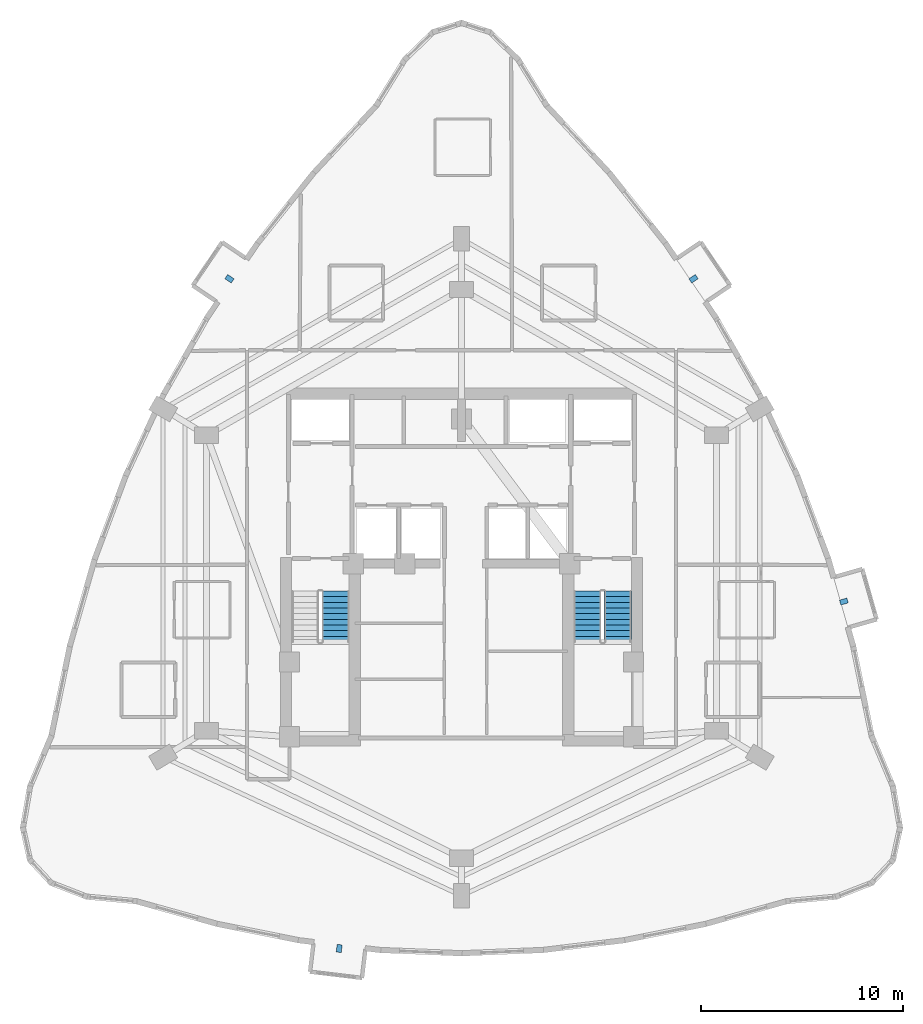
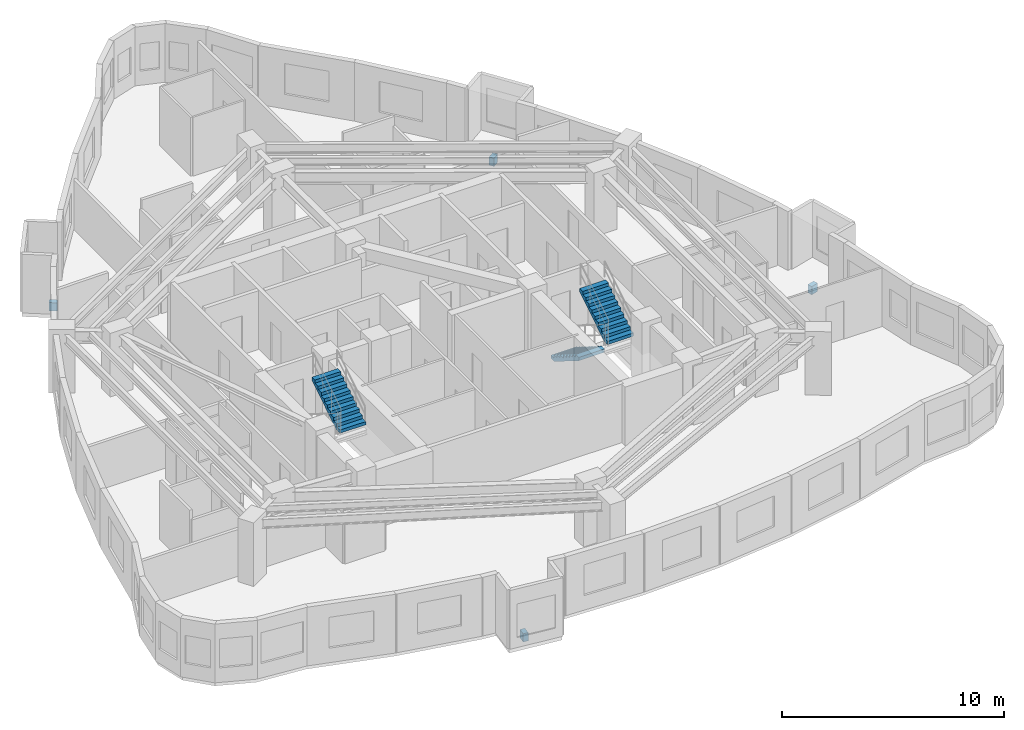
# One storey, part 8 of 9: 4 discrete accessories, 3 stair flights, 2 elements without a shape of their own.
"""IFC4 building model written with IfcOpenShell, lengths in metres."""

from ifc_helpers import new_model, si_unit, direction, frame, origin, origin_2d, place, context, subcontext, project, spatial, polyline, rectangle, outline, extrude, material, type_object, element, aggregate, save


model = new_model("IFC4")

# Units and contexts
model_context = context("Model", 3, precision=1e-05, world=origin(), true_north=direction((0.0, 1.0)))
body_context = subcontext(model_context, "Body", "Model", "MODEL_VIEW")
ifc_project = project(units=[si_unit("LENGTHUNIT", "METRE"), si_unit("AREAUNIT", "SQUARE_METRE"), si_unit("VOLUMEUNIT", "CUBIC_METRE"), si_unit("PLANEANGLEUNIT", "RADIAN"), si_unit("MASSUNIT", "GRAM", prefix="KILO")], contexts=[model_context])

# Site, building, storey
site_placement = place(None, origin())
site = spatial("IfcSite", under=ifc_project, at=site_placement, CompositionType="ELEMENT")
building_placement = place(site_placement, origin())
building = spatial("IfcBuilding", under=site, at=building_placement, Name="Miruveldt Soraemaru", CompositionType="ELEMENT")
storey_placement = place(building_placement, frame((0.0, 0.0, 138.89990234375)))
storey = spatial("IfcBuildingStorey", under=building, at=storey_placement, Name="L38", CompositionType="ELEMENT", Elevation=138.89990234375)

# Stair, stair flight
ifc_material_1 = material(Name="Concrete C40/50 (40 MPa)", Category="concrete")
stair_type = type_object("IfcStairType", Name="STAIR-DL-350", PredefinedType="HALF_TURN_STAIR", material=ifc_material_1)
stair_1_placement = place(storey_placement, origin())
stair_1 = element("IfcStair", 1, at=stair_1_placement, inside=storey, type_object=stair_type, Name="L38 Protected Exit Stair ST-1", PredefinedType="HALF_TURN_STAIR")
stair_flight_type = type_object("IfcStairFlightType", Name="SFL-DL-350", PredefinedType="STRAIGHT", material=ifc_material_1)
stair_flight_1_placement = place(storey_placement, frame((37.77490234375, 40.179931640625, 1.75), z_axis=(0.0, 0.0, 1.0), x_axis=(0.0, 1.0, 0.0)))
stair_flight_1 = element("IfcStairFlight", 2, at=stair_flight_1_placement, type_object=stair_flight_type, Name="ST-1 flight 2", NumberOfRisers=10, NumberOfTreads=9, PredefinedType="STRAIGHT", RiserHeight=0.175, TreadLength=0.28, context=body_context, shape_type="SweptSolid", body=[
    extrude(outline(polyline([(0.0, 0.0), (0.0, 0.175048828125), (0.280029296875, 0.175048828125), (0.280029296875, 0.35009765625), (0.56005859375, 0.35009765625), (0.56005859375, 0.52490234375), (0.840087890625, 0.52490234375), (0.840087890625, 0.699951171875), (1.1201171875, 0.699951171875), (1.1201171875, 0.875), (1.39990234375, 0.875), (1.39990234375, 1.050048828125), (1.679931640625, 1.050048828125), (1.679931640625, 1.22509765625), (1.9599609375, 1.22509765625), (1.9599609375, 1.39990234375), (2.239990234375, 1.39990234375), (2.239990234375, 1.574951171875), (2.52001953125, 1.574951171875), (2.52001953125, 1.75), (2.52001953125, 1.386474609375), (0.3017578125, 0.0), (0.0, 0.0)])), frame((0.0, 0.675048828125, 0.0), z_axis=(0.0, -1.0, 0.0), x_axis=(1.0, 0.0, 0.0)), (0.0, 0.0, 1.0), 1.35009765625),
])
aggregate(stair_1, [stair_flight_1])

# Stair, stair flights
stair_2_placement = place(storey_placement, origin())
stair_2 = element("IfcStair", 3, at=stair_2_placement, inside=storey, type_object=stair_type, Name="L38 Protected Exit Stair ST-2", PredefinedType="HALF_TURN_STAIR")
stair_flight_2_placement = place(storey_placement, frame((50.22509765625, 42.699951171875, 0.0), z_axis=(0.0, 0.0, 1.0), x_axis=(0.0, -1.0, 0.0)))
stair_flight_2 = element("IfcStairFlight", 4, at=stair_flight_2_placement, type_object=stair_flight_type, Name="ST-2 flight 1", NumberOfRisers=10, NumberOfTreads=9, PredefinedType="STRAIGHT", RiserHeight=0.175, TreadLength=0.28, context=body_context, shape_type="SweptSolid", body=[
    extrude(outline(polyline([(0.0, 0.0), (0.0, 0.175048828125), (0.280029296875, 0.175048828125), (0.280029296875, 0.35009765625), (0.56005859375, 0.35009765625), (0.56005859375, 0.52490234375), (0.840087890625, 0.52490234375), (0.840087890625, 0.699951171875), (1.1201171875, 0.699951171875), (1.1201171875, 0.875), (1.39990234375, 0.875), (1.39990234375, 1.050048828125), (1.679931640625, 1.050048828125), (1.679931640625, 1.22509765625), (1.9599609375, 1.22509765625), (1.9599609375, 1.39990234375), (2.239990234375, 1.39990234375), (2.239990234375, 1.574951171875), (2.52001953125, 1.574951171875), (2.52001953125, 1.75), (2.52001953125, 1.386474609375), (0.3017578125, 0.0), (0.0, 0.0)])), frame((0.0, 0.675048828125, 0.0), z_axis=(0.0, -1.0, 0.0), x_axis=(1.0, 0.0, 0.0)), (0.0, 0.0, 1.0), 1.35009765625),
])
stair_flight_3_placement = place(storey_placement, frame((51.72509765625, 40.179931640625, 1.75), z_axis=(0.0, 0.0, 1.0), x_axis=(0.0, 1.0, 0.0)))
stair_flight_3 = element("IfcStairFlight", 5, at=stair_flight_3_placement, type_object=stair_flight_type, Name="ST-2 flight 2", NumberOfRisers=10, NumberOfTreads=9, PredefinedType="STRAIGHT", RiserHeight=0.175, TreadLength=0.28, context=body_context, shape_type="SweptSolid", body=[
    extrude(outline(polyline([(0.0, 0.0), (0.0, 0.175048828125), (0.280029296875, 0.175048828125), (0.280029296875, 0.35009765625), (0.56005859375, 0.35009765625), (0.56005859375, 0.52490234375), (0.840087890625, 0.52490234375), (0.840087890625, 0.699951171875), (1.1201171875, 0.699951171875), (1.1201171875, 0.875), (1.39990234375, 0.875), (1.39990234375, 1.050048828125), (1.679931640625, 1.050048828125), (1.679931640625, 1.22509765625), (1.9599609375, 1.22509765625), (1.9599609375, 1.39990234375), (2.239990234375, 1.39990234375), (2.239990234375, 1.574951171875), (2.52001953125, 1.574951171875), (2.52001953125, 1.75), (2.52001953125, 1.386474609375), (0.3017578125, 0.0), (0.0, 0.0)])), frame((0.0, 0.675048828125, 0.0), z_axis=(0.0, -1.0, 0.0), x_axis=(1.0, 0.0, 0.0)), (0.0, 0.0, 1.0), 1.35009765625),
])
aggregate(stair_2, [stair_flight_2, stair_flight_3])

# Discrete accessories
ifc_material_2 = material(Name="Steel SM355 (355 MPa)", Category="steel")
discrete_accessory_type = type_object("IfcDiscreteAccessoryType", Name="ACC-BAY-BRK", PredefinedType="BRACKET", material=ifc_material_2)
for number, where, z_axis, x_axis, name in (
    (6, (37.9560546875, 25.0400390625, -0.7099609375), (0.0, 0.0, 1.0), (-0.119149147143, -0.992876367296, 0.0), "L38 Bay Window Cantilever Bracket 1"),
    (7, (62.89697265625, 42.18359375, -0.7099609375), (0.0, 0.0, 1.0), (0.961444294128, 0.274999762342, 0.0), "L38 Bay Window Cantilever Bracket 2"),
    (8, (55.4658203125, 58.13427734375, -0.7099609375), (0.0, 0.0, 1.0), (0.827933108356, 0.560826861061, 0.0), "L38 Bay Window Cantilever Bracket 3"),
    (9, (32.5341796875, 58.13427734375, -0.7099609375), (0.0, 0.0, 1.0), (-0.827933108356, 0.560826861061, 0.0), "L38 Bay Window Cantilever Bracket 4"),
):
    element("IfcDiscreteAccessory", number, at=place(storey_placement, frame(where, z_axis=z_axis, x_axis=x_axis)), inside=storey, type_object=discrete_accessory_type, Name=name, PredefinedType="BRACKET", context=body_context, shape_type="SweptSolid", body=[
        extrude(rectangle(XDim=0.3798828125, YDim=0.25, at=origin_2d()), origin(), (0.0, 0.0, 1.0), 0.449951171875),
    ])

save(model, "model.ifc")
